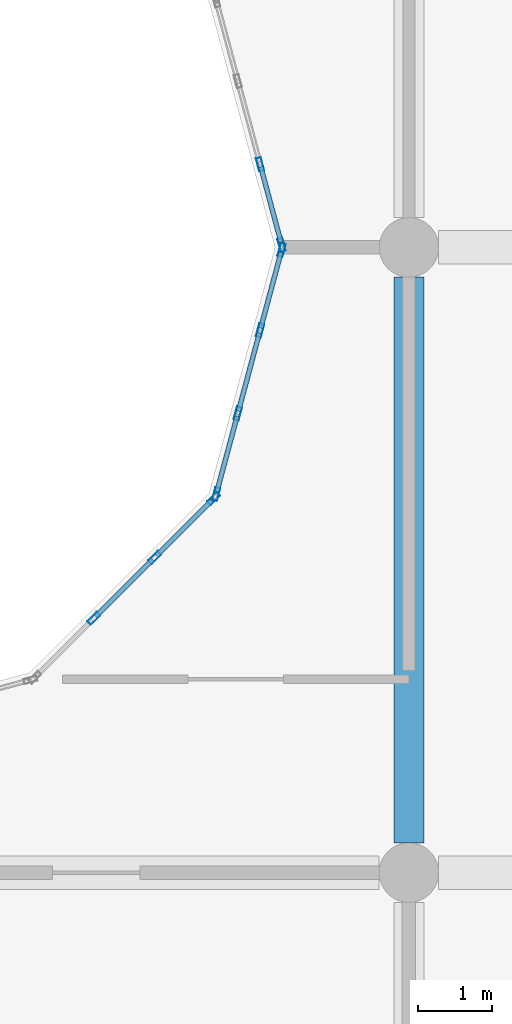
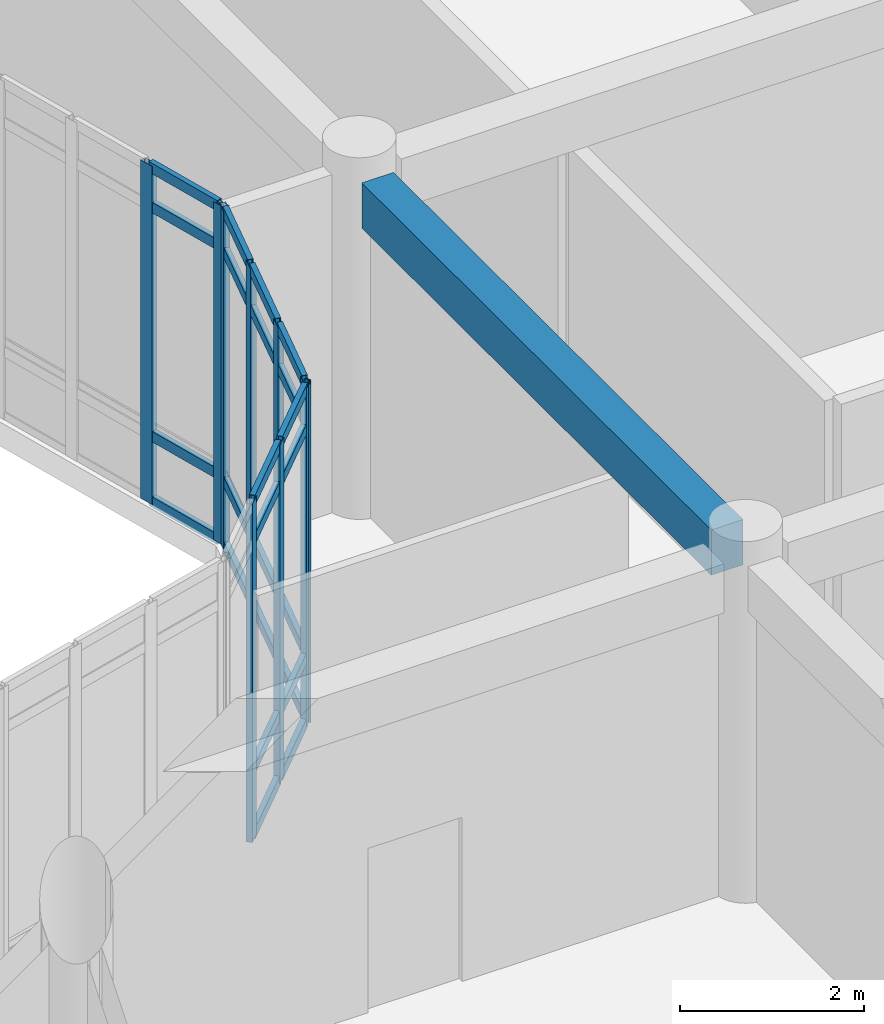
# One storey, part 27 of 138: 33 members, 1 beam, 3 elements without a shape of their own.
"""IFC4 building model written with IfcOpenShell, lengths in metres."""

from ifc_helpers import new_model, si_unit, direction, frame, origin, origin_2d, place, context, subcontext, project, spatial, rectangle, hollow_rectangle, extrude, material, layer, layer_set, material_profile, profile_set, type_object, element, aggregate, save


model = new_model("IFC4")

# Units and contexts
model_context = context("Model", 3, precision=1e-05, world=origin(), true_north=direction((0.0, 1.0)))
body_context = subcontext(model_context, "Body", "Model", "MODEL_VIEW")
ifc_project = project(units=[si_unit("LENGTHUNIT", "METRE"), si_unit("AREAUNIT", "SQUARE_METRE"), si_unit("VOLUMEUNIT", "CUBIC_METRE"), si_unit("PLANEANGLEUNIT", "RADIAN"), si_unit("MASSUNIT", "GRAM", prefix="KILO")], contexts=[model_context])

# Site, building, storey
site_placement = place(None, origin())
site = spatial("IfcSite", under=ifc_project, at=site_placement, CompositionType="ELEMENT")
building_placement = place(site_placement, origin())
building = spatial("IfcBuilding", under=site, at=building_placement, Name="Bramfleet General Hospital", CompositionType="ELEMENT")
storey_placement = place(building_placement, origin())
storey = spatial("IfcBuildingStorey", under=building, at=storey_placement, Name="L00", CompositionType="ELEMENT", Elevation=0.0)

# Beam
ifc_material_1 = material(Name="Concrete C35/45", Category="concrete")
ifc_material_profile_1 = material_profile(ifc_material_1, rectangle(XDim=0.39990234375, YDim=0.60009765625, at=origin_2d()), Name="RC BM 600x400")
ifc_profile_set_1 = profile_set([ifc_material_profile_1], Name="Concrete C35/45")
beam_type = type_object("IfcBeamType", Name="BM-RC600", PredefinedType="BEAM", material=ifc_profile_set_1)
beam_placement = place(storey_placement, frame((33.60009765625, 76.0, 4.199951171875), z_axis=(0.0, 1.0, 0.0), x_axis=(-1.0, 0.0, 0.0)))
element("IfcBeam", 1, at=beam_placement, inside=storey, type_object=beam_type, Name="L00 Grid Beam Y 04-09", PredefinedType="BEAM", context=body_context, shape_type="SweptSolid", body=[
    extrude(rectangle(XDim=0.39990234375, YDim=0.60009765625, at=origin_2d()), origin(), (0.0, 0.0, 1.0), 7.60009765625),
])

# Curtain wall, members
ifc_material_2 = material(Name="Anodised aluminium and low-E triple glazing", Category="aluminium")
ifc_layer_1 = layer(ifc_material_2, 0.179931640625, Name="CWT-CW-17")
ifc_layer_set_1 = layer_set([ifc_layer_1], Name="Anodised aluminium and low-E triple glazing")
curtain_wall_type_1 = type_object("IfcCurtainWallType", Name="CWT-CW-17", PredefinedType="USERDEFINED", material=ifc_layer_set_1)
curtain_wall_1_placement = place(storey_placement, origin())
curtain_wall_1 = element("IfcCurtainWall", 2, at=curtain_wall_1_placement, inside=storey, type_object=curtain_wall_type_1, Name="L00 West Clinical Light Court Curtain Wall 5.1", ObjectType="Stick curtain wall", PredefinedType="USERDEFINED")
ifc_material_3 = material(Name="Anodised aluminium EN AW-6060", Category="aluminium")
ifc_material_profile_2 = material_profile(ifc_material_3, hollow_rectangle(XDim=0.070068359375, YDim=0.179931640625, WallThickness=0.00390625, at=origin_2d()), Name="ALU 180x70x4.0")
ifc_profile_set_2 = profile_set([ifc_material_profile_2], Name="Anodised aluminium EN AW-6060")
member_type_1 = type_object("IfcMemberType", Name="CWM-ALU180", PredefinedType="MULLION", material=ifc_profile_set_2)
member_1_placement = place(storey_placement, frame((29.367431640625, 79.015380859375, 0.0), z_axis=(0.0, 0.0, 1.0), x_axis=(-0.707106781187, 0.707106781187, 0.0)))
member_1 = element("IfcMember", 3, at=member_1_placement, type_object=member_type_1, Name="CW-17 mullion 2", PredefinedType="MULLION", context=body_context, shape_type="SweptSolid", body=[
    extrude(hollow_rectangle(XDim=0.070068359375, YDim=0.179931640625, WallThickness=0.00390625, at=origin_2d()), origin(), (0.0, 0.0, 1.0), 4.489990234375),
])
member_2_placement = place(storey_placement, frame((30.1845703125, 79.832763671875, 0.0), z_axis=(0.0, 0.0, 1.0), x_axis=(-0.707106781187, 0.707106781187, 0.0)))
member_2 = element("IfcMember", 4, at=member_2_placement, type_object=member_type_1, Name="CW-17 mullion 3", PredefinedType="MULLION", context=body_context, shape_type="SweptSolid", body=[
    extrude(hollow_rectangle(XDim=0.070068359375, YDim=0.179931640625, WallThickness=0.00390625, at=origin_2d()), origin(), (0.0, 0.0, 1.0), 4.489990234375),
])
member_3_placement = place(storey_placement, frame((30.977294921875, 80.625244140625, 0.0), z_axis=(0.0, 0.0, 1.0), x_axis=(-0.707106781187, 0.707106781187, 0.0)))
member_3 = element("IfcMember", 5, at=member_3_placement, type_object=member_type_1, Name="CW-17 mullion 4", PredefinedType="MULLION", context=body_context, shape_type="SweptSolid", body=[
    extrude(hollow_rectangle(XDim=0.070068359375, YDim=0.179931640625, WallThickness=0.00390625, at=origin_2d()), origin(), (0.0, 0.0, 1.0), 4.489990234375),
])

ifc_layer_2 = layer(ifc_material_2, 0.179931640625, Name="CWT-CW-18")
ifc_layer_set_2 = layer_set([ifc_layer_2], Name="Anodised aluminium and low-E triple glazing")
curtain_wall_type_2 = type_object("IfcCurtainWallType", Name="CWT-CW-18", PredefinedType="USERDEFINED", material=ifc_layer_set_2)
curtain_wall_2_placement = place(storey_placement, origin())
curtain_wall_2 = element("IfcCurtainWall", 6, at=curtain_wall_2_placement, inside=storey, type_object=curtain_wall_type_2, Name="L00 West Clinical Light Court Curtain Wall 6.1", ObjectType="Stick curtain wall", PredefinedType="USERDEFINED")
member_4_placement = place(storey_placement, frame((31.010986328125, 80.683837890625, 0.0), z_axis=(0.0, 0.0, 1.0), x_axis=(-0.965899136003, 0.25891863407, 0.0)))
member_4 = element("IfcMember", 7, at=member_4_placement, type_object=member_type_1, Name="CW-18 mullion 1", PredefinedType="MULLION", context=body_context, shape_type="SweptSolid", body=[
    extrude(hollow_rectangle(XDim=0.070068359375, YDim=0.179931640625, WallThickness=0.00390625, at=origin_2d()), origin(), (0.0, 0.0, 1.0), 4.489990234375),
])
member_5_placement = place(storey_placement, frame((31.30126953125, 81.7666015625, 0.0), z_axis=(0.0, 0.0, 1.0), x_axis=(-0.965899136003, 0.25891863407, 0.0)))
member_5 = element("IfcMember", 8, at=member_5_placement, type_object=member_type_1, Name="CW-18 mullion 2", PredefinedType="MULLION", context=body_context, shape_type="SweptSolid", body=[
    extrude(hollow_rectangle(XDim=0.070068359375, YDim=0.179931640625, WallThickness=0.00390625, at=origin_2d()), origin(), (0.0, 0.0, 1.0), 4.489990234375),
])
member_6_placement = place(storey_placement, frame((31.6005859375, 82.88330078125, 0.0), z_axis=(0.0, 0.0, 1.0), x_axis=(-0.965899136003, 0.25891863407, 0.0)))
member_6 = element("IfcMember", 9, at=member_6_placement, type_object=member_type_1, Name="CW-18 mullion 3", PredefinedType="MULLION", context=body_context, shape_type="SweptSolid", body=[
    extrude(hollow_rectangle(XDim=0.070068359375, YDim=0.179931640625, WallThickness=0.00390625, at=origin_2d()), origin(), (0.0, 0.0, 1.0), 4.489990234375),
])
member_7_placement = place(storey_placement, frame((31.890869140625, 83.96630859375, 0.0), z_axis=(0.0, 0.0, 1.0), x_axis=(-0.965899136003, 0.25891863407, 0.0)))
member_7 = element("IfcMember", 10, at=member_7_placement, type_object=member_type_1, Name="CW-18 mullion 4", PredefinedType="MULLION", context=body_context, shape_type="SweptSolid", body=[
    extrude(hollow_rectangle(XDim=0.070068359375, YDim=0.179931640625, WallThickness=0.00390625, at=origin_2d()), origin(), (0.0, 0.0, 1.0), 4.489990234375),
])

ifc_layer_3 = layer(ifc_material_2, 0.179931640625, Name="CWT-CW-11")
ifc_layer_set_3 = layer_set([ifc_layer_3], Name="Anodised aluminium and low-E triple glazing")
curtain_wall_type_3 = type_object("IfcCurtainWallType", Name="CWT-CW-11", PredefinedType="USERDEFINED", material=ifc_layer_set_3)
curtain_wall_3_placement = place(storey_placement, origin())
curtain_wall_3 = element("IfcCurtainWall", 11, at=curtain_wall_3_placement, inside=storey, type_object=curtain_wall_type_3, Name="L00 West Clinical Light Court Curtain Wall 7.1", ObjectType="Stick curtain wall", PredefinedType="USERDEFINED")
member_8_placement = place(storey_placement, frame((31.890869140625, 84.03369140625, 0.0), z_axis=(0.0, 0.0, 1.0), x_axis=(-0.965899136003, -0.25891863407, 0.0)))
member_8 = element("IfcMember", 12, at=member_8_placement, type_object=member_type_1, Name="CW-11 mullion 1", PredefinedType="MULLION", context=body_context, shape_type="SweptSolid", body=[
    extrude(hollow_rectangle(XDim=0.070068359375, YDim=0.179931640625, WallThickness=0.00390625, at=origin_2d()), origin(), (0.0, 0.0, 1.0), 4.489990234375),
])
member_9_placement = place(storey_placement, frame((31.6005859375, 85.11669921875, 0.0), z_axis=(0.0, 0.0, 1.0), x_axis=(-0.965899136003, -0.25891863407, 0.0)))
member_9 = element("IfcMember", 13, at=member_9_placement, type_object=member_type_1, Name="CW-11 mullion 2", PredefinedType="MULLION", context=body_context, shape_type="SweptSolid", body=[
    extrude(hollow_rectangle(XDim=0.070068359375, YDim=0.179931640625, WallThickness=0.00390625, at=origin_2d()), origin(), (0.0, 0.0, 1.0), 4.489990234375),
])

# Member
ifc_material_profile_3 = material_profile(ifc_material_3, hollow_rectangle(XDim=0.06494140625, YDim=0.139892578125, WallThickness=0.00390625, at=origin_2d()), Name="ALU 140x65x4.0")
ifc_profile_set_3 = profile_set([ifc_material_profile_3], Name="Anodised aluminium EN AW-6060")
member_type_2 = type_object("IfcMemberType", Name="CWT-ALU140", PredefinedType="USERDEFINED", material=ifc_profile_set_3)
member_10_placement = place(storey_placement, frame((29.39208984375, 79.0400390625, 0.032470703125), z_axis=(0.707106781187, 0.707106781187, 0.0), x_axis=(-0.707106781187, 0.707106781187, 0.0)))
member_10 = element("IfcMember", 14, at=member_10_placement, type_object=member_type_2, Name="CW-17 transom 2.1", ObjectType="TRANSOM", PredefinedType="USERDEFINED", context=body_context, shape_type="SweptSolid", body=[
    extrude(hollow_rectangle(XDim=0.06494140625, YDim=0.139892578125, WallThickness=0.00390625, at=origin_2d()), origin(), (0.0, 0.0, 1.0), 1.0859375),
])

member_11_placement = place(storey_placement, frame((29.39208984375, 79.0400390625, 0.89990234375), z_axis=(0.707106781187, 0.707106781187, 0.0), x_axis=(-0.707106781187, 0.707106781187, 0.0)))
member_11 = element("IfcMember", 15, at=member_11_placement, type_object=member_type_2, Name="CW-17 transom 2.2", ObjectType="TRANSOM", PredefinedType="USERDEFINED", context=body_context, shape_type="SweptSolid", body=[
    extrude(hollow_rectangle(XDim=0.06494140625, YDim=0.139892578125, WallThickness=0.00390625, at=origin_2d()), origin(), (0.0, 0.0, 1.0), 1.0859375),
])

member_12_placement = place(storey_placement, frame((29.39208984375, 79.0400390625, 3.93994140625), z_axis=(0.707106781187, 0.707106781187, 0.0), x_axis=(-0.707106781187, 0.707106781187, 0.0)))
member_12 = element("IfcMember", 16, at=member_12_placement, type_object=member_type_2, Name="CW-17 transom 2.3", ObjectType="TRANSOM", PredefinedType="USERDEFINED", context=body_context, shape_type="SweptSolid", body=[
    extrude(hollow_rectangle(XDim=0.06494140625, YDim=0.139892578125, WallThickness=0.00390625, at=origin_2d()), origin(), (0.0, 0.0, 1.0), 1.0859375),
])

member_13_placement = place(storey_placement, frame((29.39208984375, 79.0400390625, 4.45751953125), z_axis=(0.707106781187, 0.707106781187, 0.0), x_axis=(-0.707106781187, 0.707106781187, 0.0)))
member_13 = element("IfcMember", 17, at=member_13_placement, type_object=member_type_2, Name="CW-17 transom 2.4", ObjectType="TRANSOM", PredefinedType="USERDEFINED", context=body_context, shape_type="SweptSolid", body=[
    extrude(hollow_rectangle(XDim=0.06494140625, YDim=0.139892578125, WallThickness=0.00390625, at=origin_2d()), origin(), (0.0, 0.0, 1.0), 1.0859375),
])

member_14_placement = place(storey_placement, frame((30.20947265625, 79.857421875, 0.032470703125), z_axis=(0.706990604933, 0.707222938356, 0.0), x_axis=(-0.707222938356, 0.706990604933, 0.0)))
member_14 = element("IfcMember", 18, at=member_14_placement, type_object=member_type_2, Name="CW-17 transom 3.1", ObjectType="TRANSOM", PredefinedType="USERDEFINED", context=body_context, shape_type="SweptSolid", body=[
    extrude(hollow_rectangle(XDim=0.06494140625, YDim=0.139892578125, WallThickness=0.00390625, at=origin_2d()), origin(), (0.0, 0.0, 1.0), 1.05078125),
])

member_15_placement = place(storey_placement, frame((30.20947265625, 79.857421875, 0.89990234375), z_axis=(0.706990604933, 0.707222938356, 0.0), x_axis=(-0.707222938356, 0.706990604933, 0.0)))
member_15 = element("IfcMember", 19, at=member_15_placement, type_object=member_type_2, Name="CW-17 transom 3.2", ObjectType="TRANSOM", PredefinedType="USERDEFINED", context=body_context, shape_type="SweptSolid", body=[
    extrude(hollow_rectangle(XDim=0.06494140625, YDim=0.139892578125, WallThickness=0.00390625, at=origin_2d()), origin(), (0.0, 0.0, 1.0), 1.05078125),
])

member_16_placement = place(storey_placement, frame((30.20947265625, 79.857421875, 3.93994140625), z_axis=(0.706990604933, 0.707222938356, 0.0), x_axis=(-0.707222938356, 0.706990604933, 0.0)))
member_16 = element("IfcMember", 20, at=member_16_placement, type_object=member_type_2, Name="CW-17 transom 3.3", ObjectType="TRANSOM", PredefinedType="USERDEFINED", context=body_context, shape_type="SweptSolid", body=[
    extrude(hollow_rectangle(XDim=0.06494140625, YDim=0.139892578125, WallThickness=0.00390625, at=origin_2d()), origin(), (0.0, 0.0, 1.0), 1.05078125),
])

member_17_placement = place(storey_placement, frame((30.20947265625, 79.857421875, 4.45751953125), z_axis=(0.706990604933, 0.707222938356, 0.0), x_axis=(-0.707222938356, 0.706990604933, 0.0)))
member_17 = element("IfcMember", 21, at=member_17_placement, type_object=member_type_2, Name="CW-17 transom 3.4", ObjectType="TRANSOM", PredefinedType="USERDEFINED", context=body_context, shape_type="SweptSolid", body=[
    extrude(hollow_rectangle(XDim=0.06494140625, YDim=0.139892578125, WallThickness=0.00390625, at=origin_2d()), origin(), (0.0, 0.0, 1.0), 1.05078125),
])

aggregate(curtain_wall_1, [member_1, member_2, member_3, member_10, member_11, member_12, member_13, member_14, member_15, member_16, member_17])

member_18_placement = place(storey_placement, frame((31.02001953125, 80.717529296875, 0.032470703125), z_axis=(0.258948903342, 0.965891021523, 0.0), x_axis=(-0.965891021523, 0.258948903342, 0.0)))
member_18 = element("IfcMember", 22, at=member_18_placement, type_object=member_type_2, Name="CW-18 transom 1.1", ObjectType="TRANSOM", PredefinedType="USERDEFINED", context=body_context, shape_type="SweptSolid", body=[
    extrude(hollow_rectangle(XDim=0.06494140625, YDim=0.139892578125, WallThickness=0.00390625, at=origin_2d()), origin(), (0.0, 0.0, 1.0), 1.05126953125),
])

member_19_placement = place(storey_placement, frame((31.02001953125, 80.717529296875, 0.89990234375), z_axis=(0.258948903342, 0.965891021523, 0.0), x_axis=(-0.965891021523, 0.258948903342, 0.0)))
member_19 = element("IfcMember", 23, at=member_19_placement, type_object=member_type_2, Name="CW-18 transom 1.2", ObjectType="TRANSOM", PredefinedType="USERDEFINED", context=body_context, shape_type="SweptSolid", body=[
    extrude(hollow_rectangle(XDim=0.06494140625, YDim=0.139892578125, WallThickness=0.00390625, at=origin_2d()), origin(), (0.0, 0.0, 1.0), 1.05126953125),
])

member_20_placement = place(storey_placement, frame((31.02001953125, 80.717529296875, 3.93994140625), z_axis=(0.258948903342, 0.965891021523, 0.0), x_axis=(-0.965891021523, 0.258948903342, 0.0)))
member_20 = element("IfcMember", 24, at=member_20_placement, type_object=member_type_2, Name="CW-18 transom 1.3", ObjectType="TRANSOM", PredefinedType="USERDEFINED", context=body_context, shape_type="SweptSolid", body=[
    extrude(hollow_rectangle(XDim=0.06494140625, YDim=0.139892578125, WallThickness=0.00390625, at=origin_2d()), origin(), (0.0, 0.0, 1.0), 1.05126953125),
])

member_21_placement = place(storey_placement, frame((31.02001953125, 80.717529296875, 4.45751953125), z_axis=(0.258948903342, 0.965891021523, 0.0), x_axis=(-0.965891021523, 0.258948903342, 0.0)))
member_21 = element("IfcMember", 25, at=member_21_placement, type_object=member_type_2, Name="CW-18 transom 1.4", ObjectType="TRANSOM", PredefinedType="USERDEFINED", context=body_context, shape_type="SweptSolid", body=[
    extrude(hollow_rectangle(XDim=0.06494140625, YDim=0.139892578125, WallThickness=0.00390625, at=origin_2d()), origin(), (0.0, 0.0, 1.0), 1.05126953125),
])

member_22_placement = place(storey_placement, frame((31.310302734375, 81.800537109375, 0.032470703125), z_axis=(0.258949558843, 0.965890845787, 0.0), x_axis=(-0.965890845787, 0.258949558843, 0.0)))
member_22 = element("IfcMember", 26, at=member_22_placement, type_object=member_type_2, Name="CW-18 transom 2.1", ObjectType="TRANSOM", PredefinedType="USERDEFINED", context=body_context, shape_type="SweptSolid", body=[
    extrude(hollow_rectangle(XDim=0.06494140625, YDim=0.139892578125, WallThickness=0.00390625, at=origin_2d()), origin(), (0.0, 0.0, 1.0), 1.086181640625),
])

member_23_placement = place(storey_placement, frame((31.310302734375, 81.800537109375, 0.89990234375), z_axis=(0.258949558843, 0.965890845787, 0.0), x_axis=(-0.965890845787, 0.258949558843, 0.0)))
member_23 = element("IfcMember", 27, at=member_23_placement, type_object=member_type_2, Name="CW-18 transom 2.2", ObjectType="TRANSOM", PredefinedType="USERDEFINED", context=body_context, shape_type="SweptSolid", body=[
    extrude(hollow_rectangle(XDim=0.06494140625, YDim=0.139892578125, WallThickness=0.00390625, at=origin_2d()), origin(), (0.0, 0.0, 1.0), 1.086181640625),
])

member_24_placement = place(storey_placement, frame((31.310302734375, 81.800537109375, 3.93994140625), z_axis=(0.258949558843, 0.965890845787, 0.0), x_axis=(-0.965890845787, 0.258949558843, 0.0)))
member_24 = element("IfcMember", 28, at=member_24_placement, type_object=member_type_2, Name="CW-18 transom 2.3", ObjectType="TRANSOM", PredefinedType="USERDEFINED", context=body_context, shape_type="SweptSolid", body=[
    extrude(hollow_rectangle(XDim=0.06494140625, YDim=0.139892578125, WallThickness=0.00390625, at=origin_2d()), origin(), (0.0, 0.0, 1.0), 1.086181640625),
])

member_25_placement = place(storey_placement, frame((31.310302734375, 81.800537109375, 4.45751953125), z_axis=(0.258949558843, 0.965890845787, 0.0), x_axis=(-0.965890845787, 0.258949558843, 0.0)))
member_25 = element("IfcMember", 29, at=member_25_placement, type_object=member_type_2, Name="CW-18 transom 2.4", ObjectType="TRANSOM", PredefinedType="USERDEFINED", context=body_context, shape_type="SweptSolid", body=[
    extrude(hollow_rectangle(XDim=0.06494140625, YDim=0.139892578125, WallThickness=0.00390625, at=origin_2d()), origin(), (0.0, 0.0, 1.0), 1.086181640625),
])

member_26_placement = place(storey_placement, frame((31.609619140625, 82.917236328125, 0.032470703125), z_axis=(0.259007003236, 0.965875443458, 0.0), x_axis=(-0.965875443458, 0.259007003236, 0.0)))
member_26 = element("IfcMember", 30, at=member_26_placement, type_object=member_type_2, Name="CW-18 transom 3.1", ObjectType="TRANSOM", PredefinedType="USERDEFINED", context=body_context, shape_type="SweptSolid", body=[
    extrude(hollow_rectangle(XDim=0.06494140625, YDim=0.139892578125, WallThickness=0.00390625, at=origin_2d()), origin(), (0.0, 0.0, 1.0), 1.051025390625),
])

member_27_placement = place(storey_placement, frame((31.609619140625, 82.917236328125, 0.89990234375), z_axis=(0.259007003236, 0.965875443458, 0.0), x_axis=(-0.965875443458, 0.259007003236, 0.0)))
member_27 = element("IfcMember", 31, at=member_27_placement, type_object=member_type_2, Name="CW-18 transom 3.2", ObjectType="TRANSOM", PredefinedType="USERDEFINED", context=body_context, shape_type="SweptSolid", body=[
    extrude(hollow_rectangle(XDim=0.06494140625, YDim=0.139892578125, WallThickness=0.00390625, at=origin_2d()), origin(), (0.0, 0.0, 1.0), 1.051025390625),
])

member_28_placement = place(storey_placement, frame((31.609619140625, 82.917236328125, 3.93994140625), z_axis=(0.259007003236, 0.965875443458, 0.0), x_axis=(-0.965875443458, 0.259007003236, 0.0)))
member_28 = element("IfcMember", 32, at=member_28_placement, type_object=member_type_2, Name="CW-18 transom 3.3", ObjectType="TRANSOM", PredefinedType="USERDEFINED", context=body_context, shape_type="SweptSolid", body=[
    extrude(hollow_rectangle(XDim=0.06494140625, YDim=0.139892578125, WallThickness=0.00390625, at=origin_2d()), origin(), (0.0, 0.0, 1.0), 1.051025390625),
])

member_29_placement = place(storey_placement, frame((31.609619140625, 82.917236328125, 4.45751953125), z_axis=(0.259007003236, 0.965875443458, 0.0), x_axis=(-0.965875443458, 0.259007003236, 0.0)))
member_29 = element("IfcMember", 33, at=member_29_placement, type_object=member_type_2, Name="CW-18 transom 3.4", ObjectType="TRANSOM", PredefinedType="USERDEFINED", context=body_context, shape_type="SweptSolid", body=[
    extrude(hollow_rectangle(XDim=0.06494140625, YDim=0.139892578125, WallThickness=0.00390625, at=origin_2d()), origin(), (0.0, 0.0, 1.0), 1.051025390625),
])

aggregate(curtain_wall_2, [member_4, member_5, member_6, member_7, member_18, member_19, member_20, member_21, member_22, member_23, member_24, member_25, member_26, member_27, member_28, member_29])

member_30_placement = place(storey_placement, frame((31.8818359375, 84.067626953125, 0.032470703125), z_axis=(-0.259007003236, 0.965875443458, 0.0), x_axis=(-0.965875443458, -0.259007003236, 0.0)))
member_30 = element("IfcMember", 34, at=member_30_placement, type_object=member_type_2, Name="CW-11 transom 1.1", ObjectType="TRANSOM", PredefinedType="USERDEFINED", context=body_context, shape_type="SweptSolid", body=[
    extrude(hollow_rectangle(XDim=0.06494140625, YDim=0.139892578125, WallThickness=0.00390625, at=origin_2d()), origin(), (0.0, 0.0, 1.0), 1.051025390625),
])

member_31_placement = place(storey_placement, frame((31.8818359375, 84.067626953125, 0.89990234375), z_axis=(-0.259007003236, 0.965875443458, 0.0), x_axis=(-0.965875443458, -0.259007003236, 0.0)))
member_31 = element("IfcMember", 35, at=member_31_placement, type_object=member_type_2, Name="CW-11 transom 1.2", ObjectType="TRANSOM", PredefinedType="USERDEFINED", context=body_context, shape_type="SweptSolid", body=[
    extrude(hollow_rectangle(XDim=0.06494140625, YDim=0.139892578125, WallThickness=0.00390625, at=origin_2d()), origin(), (0.0, 0.0, 1.0), 1.051025390625),
])

member_32_placement = place(storey_placement, frame((31.8818359375, 84.067626953125, 3.93994140625), z_axis=(-0.259007003236, 0.965875443458, 0.0), x_axis=(-0.965875443458, -0.259007003236, 0.0)))
member_32 = element("IfcMember", 36, at=member_32_placement, type_object=member_type_2, Name="CW-11 transom 1.3", ObjectType="TRANSOM", PredefinedType="USERDEFINED", context=body_context, shape_type="SweptSolid", body=[
    extrude(hollow_rectangle(XDim=0.06494140625, YDim=0.139892578125, WallThickness=0.00390625, at=origin_2d()), origin(), (0.0, 0.0, 1.0), 1.051025390625),
])

member_33_placement = place(storey_placement, frame((31.8818359375, 84.067626953125, 4.45751953125), z_axis=(-0.259007003236, 0.965875443458, 0.0), x_axis=(-0.965875443458, -0.259007003236, 0.0)))
member_33 = element("IfcMember", 37, at=member_33_placement, type_object=member_type_2, Name="CW-11 transom 1.4", ObjectType="TRANSOM", PredefinedType="USERDEFINED", context=body_context, shape_type="SweptSolid", body=[
    extrude(hollow_rectangle(XDim=0.06494140625, YDim=0.139892578125, WallThickness=0.00390625, at=origin_2d()), origin(), (0.0, 0.0, 1.0), 1.051025390625),
])

aggregate(curtain_wall_3, [member_8, member_9, member_30, member_31, member_32, member_33])

save(model, "model.ifc")
